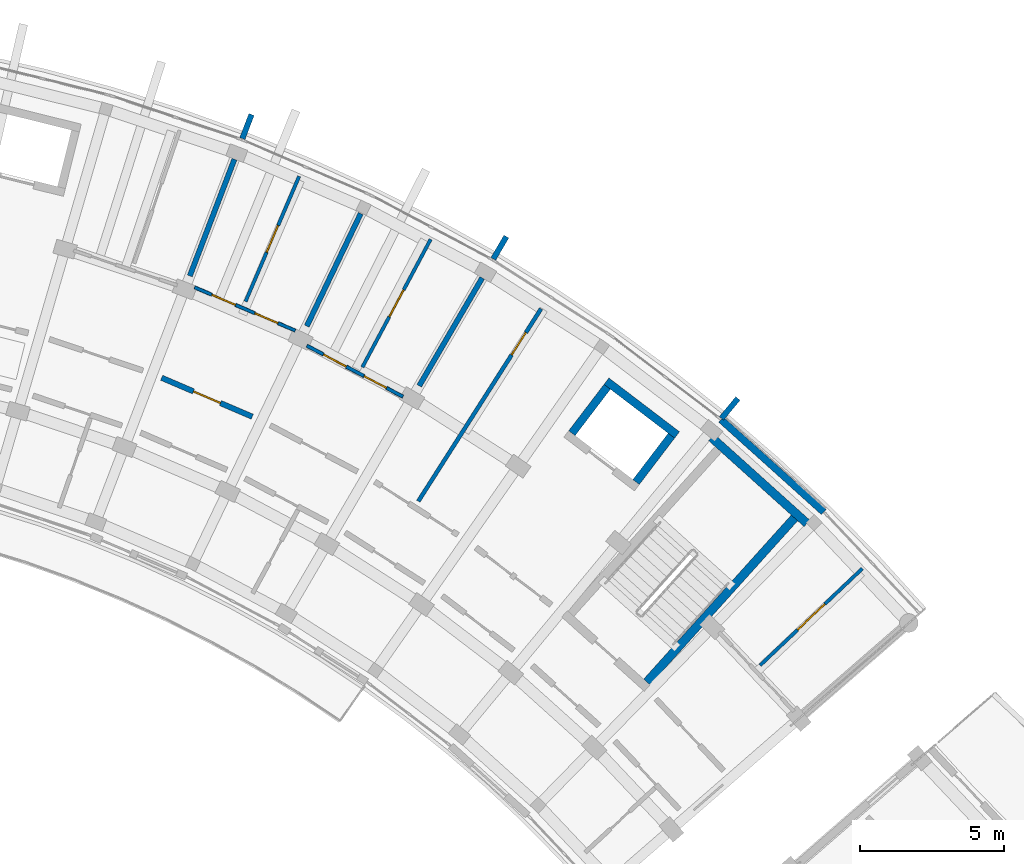
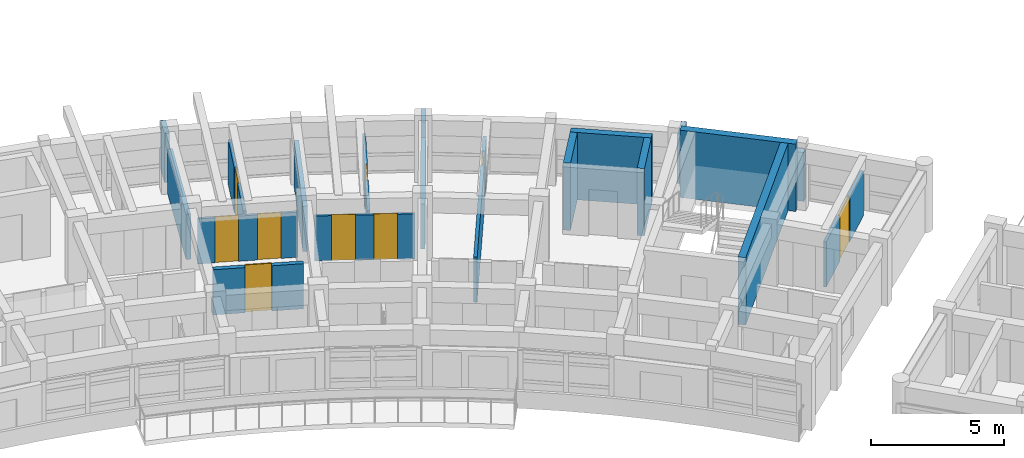
# One storey, part 36 of 54: 19 walls, 9 doors, 9 openings.
"""IFC4 building model written with IfcOpenShell, lengths in metres."""

from ifc_helpers import new_model, si_unit, direction, frame, frame_2d, origin, place, context, subcontext, project, spatial, rectangle, extrude, material, layer, layer_set, type_object, element, fill, save


model = new_model("IFC4")

# Units and contexts
model_context = context("Model", 3, precision=1e-05, world=origin(), true_north=direction((0.0, 1.0)))
body_context = subcontext(model_context, "Body", "Model", "MODEL_VIEW")
ifc_project = project(units=[si_unit("LENGTHUNIT", "METRE"), si_unit("AREAUNIT", "SQUARE_METRE"), si_unit("VOLUMEUNIT", "CUBIC_METRE"), si_unit("PLANEANGLEUNIT", "RADIAN"), si_unit("MASSUNIT", "GRAM", prefix="KILO")], contexts=[model_context])

# Site, building, storey
site_placement = place(None, origin())
site = spatial("IfcSite", under=ifc_project, at=site_placement, CompositionType="ELEMENT")
building_placement = place(site_placement, origin())
building = spatial("IfcBuilding", under=site, at=building_placement, Name="Zimvara Arc Housing Community", CompositionType="ELEMENT")
storey_placement = place(building_placement, frame((0.0, 0.0, 23.60009765625)))
storey = spatial("IfcBuildingStorey", under=building, at=storey_placement, Name="L07", CompositionType="ELEMENT", Elevation=23.60009765625)

# Walls
ifc_material_1 = material(Name="Board-Marked Fair-Faced Concrete C35/45", Category="concrete")
ifc_layer_1 = layer(ifc_material_1, 0.195068359375)
ifc_layer_set_1 = layer_set([ifc_layer_1], Name="Board-Marked Fair-Faced Concrete C35/45")
wall_type_1 = type_object("IfcWallType", Name="EWL-PARA-195", PredefinedType="PARAPET", material=ifc_layer_set_1)
wall_1_placement = place(storey_placement, frame((66.216796875, 100.0029296875, 0.0), z_axis=(0.0, 0.0, 1.0), x_axis=(0.356942580168, 0.934126326823, 0.0)))
element("IfcWall", 1, at=wall_1_placement, inside=storey, type_object=wall_type_1, Name="finwall:blkB:L07:out:b4", PredefinedType="PARAPET", context=body_context, shape_type="SweptSolid", body=[
    extrude(rectangle(XDim=0.900146484375, YDim=0.195068359375, at=frame_2d((0.4501953125, 0.0))), origin(), (0.0, 0.0, 1.0), 2.25),
])
wall_2_placement = place(storey_placement, frame((74.961181640625, 95.8134765625, 0.0), z_axis=(0.0, 0.0, 1.0), x_axis=(0.504326383773, 0.863513114336, 0.0)))
element("IfcWall", 2, at=wall_2_placement, inside=storey, type_object=wall_type_1, Name="finwall:blkB:L07:out:b6", PredefinedType="PARAPET", context=body_context, shape_type="SweptSolid", body=[
    extrude(rectangle(XDim=0.89990234375, YDim=0.195068359375, at=frame_2d((0.449951171875, 0.0))), origin(), (0.0, 0.0, 1.0), 2.25),
])
wall_3_placement = place(storey_placement, frame((82.90771484375, 90.25732421875, 0.0), z_axis=(0.0, 0.0, 1.0), x_axis=(0.637967316825, 0.770063440674, 0.0)))
element("IfcWall", 3, at=wall_3_placement, inside=storey, type_object=wall_type_1, Name="finwall:blkB:L07:out:b8", PredefinedType="PARAPET", context=body_context, shape_type="SweptSolid", body=[
    extrude(rectangle(XDim=0.900146484375, YDim=0.195068359375, at=frame_2d((0.4501953125, 0.0))), origin(), (0.0, 0.0, 1.0), 2.25),
])
ifc_material_2 = material(Name="Board-Marked Fair-Faced Concrete C35/45", Category="concrete")
ifc_layer_2 = layer(ifc_material_2, 0.248046875)
ifc_layer_set_2 = layer_set([ifc_layer_2], Name="Board-Marked Fair-Faced Concrete C35/45")
wall_type_2 = type_object("IfcWallType", Name="EWL-VAR-17", PredefinedType="SOLIDWALL", material=ifc_layer_set_2)
wall_4_placement = place(storey_placement, frame((82.89697265625, 90.21337890625, 0.0), z_axis=(0.0, 0.0, 1.0), x_axis=(0.743387539862, -0.668860946369, 0.0)))
element("IfcWall", 4, at=wall_4_placement, inside=storey, type_object=wall_type_2, Name="ewall:blkB:L07:out:b8", PredefinedType="SOLIDWALL", context=body_context, shape_type="SweptSolid", body=[
    extrude(rectangle(XDim=4.80908203125, YDim=0.248046875, at=frame_2d((2.404541015625, 0.0))), origin(), (0.0, 0.0, 1.0), 2.25),
])

# Wall, opening, door
ifc_material_3 = material(Name="Concrete C35/45", Category="concrete")
ifc_layer_3 = layer(ifc_material_3, 0.18994140625)
ifc_layer_set_3 = layer_set([ifc_layer_3], Name="Concrete C35/45")
wall_type_3 = type_object("IfcWallType", Name="IWL-CORR-190", PredefinedType="SOLIDWALL", material=ifc_layer_set_3)
wall_5_placement = place(storey_placement, frame((63.40673828125, 91.6728515625, 0.0), z_axis=(0.0, 0.0, 1.0), x_axis=(0.918718172399, -0.394913813008, 0.0)))
wall_5 = element("IfcWall", 5, at=wall_5_placement, inside=storey, type_object=wall_type_3, Name="iwall:blkB:L07:corr_out:b4", PredefinedType="SOLIDWALL", context=body_context, shape_type="SweptSolid", body=[
    extrude(rectangle(XDim=3.43603515625, YDim=0.18994140625, at=frame_2d((1.718017578125, 0.0))), origin(), (0.0, 0.0, 1.0), 2.079833984375),
])
opening_1_placement = place(wall_5_placement, frame((1.2080078125, 0.0, 0.0)))
opening_1 = element("IfcOpeningElement", 6, at=opening_1_placement, cuts=wall_5, Name="Opening FD-FL2", PredefinedType="OPENING", context=body_context, shape_type="SweptSolid", body=[
    extrude(rectangle(XDim=1.02001953125, YDim=2.14990234375, at=frame_2d((0.510009765625, 1.074951171875))), frame((0.0, 0.10498046875, 0.0), z_axis=(0.0, -1.0, 0.0), x_axis=(1.0, 0.0, 0.0)), (0.0, 0.0, 1.0), 0.2099609375),
])
ifc_material_4 = material(Name="Mozambican Hardwood", Category="wood")
door_type_1 = type_object("IfcDoorType", Name="IDR-FLAT-1020x2150", OperationType="NOTDEFINED", PredefinedType="DOOR", material=ifc_material_4)
door_1_placement = place(opening_1_placement, origin())
door_1 = element("IfcDoor", 7, at=door_1_placement, inside=storey, type_object=door_type_1, Name="idoor:blkB:L07:flat:b4", OperationType="SINGLE_SWING_RIGHT", OverallHeight=2.14990234375, OverallWidth=1.02001953125, PredefinedType="DOOR", context=body_context, shape_type="SweptSolid", body=[
    extrude(rectangle(XDim=1.02001953125, YDim=2.14990234375, at=frame_2d((0.510009765625, 1.074951171875))), frame((0.0, 0.02490234375, 0.0), z_axis=(0.0, -1.0, 0.0), x_axis=(1.0, 0.0, 0.0)), (0.0, 0.0, 1.0), 0.050048828125),
])
fill(opening_1, door_1)

# Walls
ifc_material_5 = material(Name="Concrete C35/45", Category="concrete")
ifc_layer_4 = layer(ifc_material_5, 0.18505859375)
ifc_layer_set_4 = layer_set([ifc_layer_4], Name="Concrete C35/45")
wall_type_4 = type_object("IfcWallType", Name="IWL-FLAT-185", PredefinedType="SOLIDWALL", material=ifc_layer_set_4)
for number, where, z_axis, x_axis, name in (
    (8, (64.388671875, 95.220458984375, 0.0), (0.0, 0.0, 1.0), (0.357064016205, 0.934079915388, 0.0), "iwall:blkB:L07:party:b4"),
    (9, (68.462158203125, 93.469482421875, 0.0), (0.0, 0.0, 1.0), (0.432086898897, 0.901831975371, 0.0), "iwall:blkB:L07:party:b5"),
    (10, (72.37939453125, 91.391845703125, 0.0), (0.0, 0.0, 1.0), (0.504216452091, 0.863577309475, 0.0), "iwall:blkB:L07:party:b6"),
):
    element("IfcWall", number, at=place(storey_placement, frame(where, z_axis=z_axis, x_axis=x_axis)), inside=storey, type_object=wall_type_4, Name=name, PredefinedType="SOLIDWALL", context=body_context, shape_type="SweptSolid", body=[
        extrude(rectangle(XDim=4.35009765625, YDim=0.18505859375, at=frame_2d((2.175048828125, 0.0))), origin(), (0.0, 0.0, 1.0), 2.079833984375),
    ])

# Wall, openings, doors
ifc_material_6 = material(Name="Painted Acoustic Plasterboard")
ifc_layer_5 = layer(ifc_material_6, 0.110107421875)
ifc_layer_set_5 = layer_set([ifc_layer_5], Name="Painted Acoustic Plasterboard")
wall_type_5 = type_object("IfcWallType", Name="IWL-PART-110", PredefinedType="PARTITIONING", material=ifc_layer_set_5)
wall_6_placement = place(storey_placement, frame((64.55712890625, 94.82177734375, 0.0), z_axis=(0.0, 0.0, 1.0), x_axis=(0.918726854017, -0.394893615684, 0.0)))
wall_6 = element("IfcWall", 11, at=wall_6_placement, inside=storey, type_object=wall_type_5, Name="iwall:blkB:L07:srv:b4", PredefinedType="PARTITIONING", context=body_context, shape_type="SweptSolid", body=[
    extrude(rectangle(XDim=3.8095703125, YDim=0.110107421875, at=frame_2d((1.90478515625, 0.0))), origin(), (0.0, 0.0, 1.0), 2.079833984375),
])
opening_2_placement = place(wall_6_placement, frame((0.64990234375, 0.0, 0.0)))
opening_2 = element("IfcOpeningElement", 12, at=opening_2_placement, cuts=wall_6, Name="Opening D01", PredefinedType="OPENING", context=body_context, shape_type="SweptSolid", body=[
    extrude(rectangle(XDim=0.89990234375, YDim=2.10009765625, at=frame_2d((0.449951171875, 1.050048828125))), frame((0.0, 0.06494140625, 0.0), z_axis=(0.0, -1.0, 0.0), x_axis=(1.0, 0.0, 0.0)), (0.0, 0.0, 1.0), 0.130126953125),
])
opening_3_placement = place(wall_6_placement, frame((2.279541015625, 0.0, 0.0)))
opening_3 = element("IfcOpeningElement", 13, at=opening_3_placement, cuts=wall_6, Name="Opening D05", PredefinedType="OPENING", context=body_context, shape_type="SweptSolid", body=[
    extrude(rectangle(XDim=0.8798828125, YDim=2.10009765625, at=frame_2d((0.43994140625, 1.050048828125))), frame((0.0, 0.06494140625, 0.0), z_axis=(0.0, -1.0, 0.0), x_axis=(1.0, 0.0, 0.0)), (0.0, 0.0, 1.0), 0.130126953125),
])
ifc_material_7 = material(Name="Mozambican Hardwood", Category="wood")
door_type_2 = type_object("IfcDoorType", Name="IDR-RM-0900x2100", OperationType="NOTDEFINED", PredefinedType="DOOR", material=ifc_material_7)
door_2_placement = place(opening_2_placement, origin())
door_2 = element("IfcDoor", 14, at=door_2_placement, inside=storey, type_object=door_type_2, Name="idoor:blkB:L07:kit_liv:b4", OperationType="SINGLE_SWING_RIGHT", OverallHeight=2.10009765625, OverallWidth=0.89990234375, PredefinedType="DOOR", context=body_context, shape_type="SweptSolid", body=[
    extrude(rectangle(XDim=0.89990234375, YDim=2.10009765625, at=frame_2d((0.449951171875, 1.050048828125))), frame((0.0, 0.02490234375, 0.0), z_axis=(0.0, -1.0, 0.0), x_axis=(1.0, 0.0, 0.0)), (0.0, 0.0, 1.0), 0.050048828125),
])
fill(opening_2, door_2)
ifc_material_8 = material(Name="Mozambican Hardwood", Category="wood")
door_type_3 = type_object("IfcDoorType", Name="IDR-WC-0880x2100", OperationType="NOTDEFINED", PredefinedType="DOOR", material=ifc_material_8)
door_3_placement = place(opening_3_placement, origin())
door_3 = element("IfcDoor", 15, at=door_3_placement, inside=storey, type_object=door_type_3, Name="idoor:blkB:L07:bath_d:b4", OperationType="SINGLE_SWING_LEFT", OverallHeight=2.10009765625, OverallWidth=0.8798828125, PredefinedType="DOOR", context=body_context, shape_type="SweptSolid", body=[
    extrude(rectangle(XDim=0.8798828125, YDim=2.10009765625, at=frame_2d((0.43994140625, 1.050048828125))), frame((0.0, 0.02490234375, 0.0), z_axis=(0.0, -1.0, 0.0), x_axis=(1.0, 0.0, 0.0)), (0.0, 0.0, 1.0), 0.050048828125),
])
fill(opening_3, door_3)

ifc_material_9 = material(Name="Painted Acoustic Plasterboard")
ifc_layer_6 = layer(ifc_material_9, 0.114990234375)
ifc_layer_set_6 = layer_set([ifc_layer_6], Name="Painted Acoustic Plasterboard")
wall_type_6 = type_object("IfcWallType", Name="IWL-PART-115", PredefinedType="PARTITIONING", material=ifc_layer_set_6)
wall_7_placement = place(storey_placement, frame((68.468017578125, 92.787841796875, 0.0), z_axis=(0.0, 0.0, 1.0), x_axis=(0.883450371448, -0.468524749814, 0.0)))
wall_7 = element("IfcWall", 16, at=wall_7_placement, inside=storey, type_object=wall_type_6, Name="iwall:blkB:L07:srv:b5", PredefinedType="PARTITIONING", context=body_context, shape_type="SweptSolid", body=[
    extrude(rectangle(XDim=3.78515625, YDim=0.114990234375, at=frame_2d((1.892578125, 0.0))), origin(), (0.0, 0.0, 1.0), 2.079833984375),
])
opening_4_placement = place(wall_7_placement, frame((0.64990234375, 0.0, 0.0)))
opening_4 = element("IfcOpeningElement", 17, at=opening_4_placement, cuts=wall_7, Name="Opening D01", PredefinedType="OPENING", context=body_context, shape_type="SweptSolid", body=[
    extrude(rectangle(XDim=0.89990234375, YDim=2.10009765625, at=frame_2d((0.449951171875, 1.050048828125))), frame((0.0, 0.0673828125, 0.0), z_axis=(0.0, -1.0, 0.0), x_axis=(1.0, 0.0, 0.0)), (0.0, 0.0, 1.0), 0.135009765625),
])
opening_5_placement = place(wall_7_placement, frame((2.255126953125, 0.0, 0.0)))
opening_5 = element("IfcOpeningElement", 18, at=opening_5_placement, cuts=wall_7, Name="Opening D05", PredefinedType="OPENING", context=body_context, shape_type="SweptSolid", body=[
    extrude(rectangle(XDim=0.8798828125, YDim=2.10009765625, at=frame_2d((0.43994140625, 1.050048828125))), frame((0.0, 0.0673828125, 0.0), z_axis=(0.0, -1.0, 0.0), x_axis=(1.0, 0.0, 0.0)), (0.0, 0.0, 1.0), 0.135009765625),
])
door_4_placement = place(opening_4_placement, origin())
door_4 = element("IfcDoor", 19, at=door_4_placement, inside=storey, type_object=door_type_2, Name="idoor:blkB:L07:kit_liv:b5", OperationType="SINGLE_SWING_RIGHT", OverallHeight=2.10009765625, OverallWidth=0.89990234375, PredefinedType="DOOR", context=body_context, shape_type="SweptSolid", body=[
    extrude(rectangle(XDim=0.89990234375, YDim=2.10009765625, at=frame_2d((0.449951171875, 1.050048828125))), frame((0.0, 0.02490234375, 0.0), z_axis=(0.0, -1.0, 0.0), x_axis=(1.0, 0.0, 0.0)), (0.0, 0.0, 1.0), 0.050048828125),
])
fill(opening_4, door_4)
door_5_placement = place(opening_5_placement, origin())
door_5 = element("IfcDoor", 20, at=door_5_placement, inside=storey, type_object=door_type_3, Name="idoor:blkB:L07:bath_d:b5", OperationType="SINGLE_SWING_LEFT", OverallHeight=2.10009765625, OverallWidth=0.8798828125, PredefinedType="DOOR", context=body_context, shape_type="SweptSolid", body=[
    extrude(rectangle(XDim=0.8798828125, YDim=2.10009765625, at=frame_2d((0.43994140625, 1.050048828125))), frame((0.0, 0.02490234375, 0.0), z_axis=(0.0, -1.0, 0.0), x_axis=(1.0, 0.0, 0.0)), (0.0, 0.0, 1.0), 0.050048828125),
])
fill(opening_5, door_5)

# Wall, opening, door
ifc_material_10 = material(Name="Painted Acoustic Plasterboard")
ifc_layer_7 = layer(ifc_material_10, 0.1201171875)
ifc_layer_set_7 = layer_set([ifc_layer_7], Name="Painted Acoustic Plasterboard")
wall_type_7 = type_object("IfcWallType", Name="IWL-PART-120", PredefinedType="PARTITIONING", material=ifc_layer_set_7)
wall_8_placement = place(storey_placement, frame((66.32861328125, 94.326904296875, 0.0), z_axis=(0.0, 0.0, 1.0), x_axis=(0.393553279267, 0.919301809189, 0.0)))
wall_8 = element("IfcWall", 21, at=wall_8_placement, inside=storey, type_object=wall_type_7, Name="iwall:blkB:L07:bed_div:b4", PredefinedType="PARTITIONING", context=body_context, shape_type="SweptSolid", body=[
    extrude(rectangle(XDim=4.75, YDim=0.1201171875, at=frame_2d((2.375, 0.0))), origin(), (0.0, 0.0, 1.0), 2.079833984375),
])
opening_6_placement = place(wall_8_placement, frame((1.8701171875, 0.0, 0.0)))
opening_6 = element("IfcOpeningElement", 22, at=opening_6_placement, cuts=wall_8, Name="Opening D15", PredefinedType="OPENING", context=body_context, shape_type="SweptSolid", body=[
    extrude(rectangle(XDim=1.010009765625, YDim=2.10009765625, at=frame_2d((0.5048828125, 1.050048828125))), frame((0.0, 0.070068359375, 0.0), z_axis=(0.0, -1.0, 0.0), x_axis=(1.0, 0.0, 0.0)), (0.0, 0.0, 1.0), 0.14013671875),
])
ifc_material_11 = material(Name="Mozambican Hardwood", Category="wood")
door_type_4 = type_object("IfcDoorType", Name="IDR-MOD-1010x2160", OperationType="NOTDEFINED", PredefinedType="DOOR", material=ifc_material_11)
door_6_placement = place(opening_6_placement, origin())
door_6 = element("IfcDoor", 23, at=door_6_placement, inside=storey, type_object=door_type_4, Name="idoor:blkB:L07:bed_d:b4", OperationType="SINGLE_SWING_RIGHT", OverallHeight=2.10009765625, OverallWidth=1.010009765625, PredefinedType="DOOR", context=body_context, shape_type="SweptSolid", body=[
    extrude(rectangle(XDim=1.010009765625, YDim=2.10009765625, at=frame_2d((0.5048828125, 1.050048828125))), frame((0.0, 0.02490234375, 0.0), z_axis=(0.0, -1.0, 0.0), x_axis=(1.0, 0.0, 0.0)), (0.0, 0.0, 1.0), 0.050048828125),
])
fill(opening_6, door_6)

wall_9_placement = place(storey_placement, frame((70.398193359375, 92.041015625, 0.0), z_axis=(0.0, 0.0, 1.0), x_axis=(0.471222960991, 0.882014127457, 0.0)))
wall_9 = element("IfcWall", 24, at=wall_9_placement, inside=storey, type_object=wall_type_7, Name="iwall:blkB:L07:bed_div:b5", PredefinedType="PARTITIONING", context=body_context, shape_type="SweptSolid", body=[
    extrude(rectangle(XDim=5.0498046875, YDim=0.1201171875, at=frame_2d((2.52490234375, 0.0))), origin(), (0.0, 0.0, 1.0), 2.079833984375),
])
opening_7_placement = place(wall_9_placement, frame((1.9951171875, 0.0, 0.0)))
opening_7 = element("IfcOpeningElement", 25, at=opening_7_placement, cuts=wall_9, Name="Opening D16", PredefinedType="OPENING", context=body_context, shape_type="SweptSolid", body=[
    extrude(rectangle(XDim=1.06005859375, YDim=2.10009765625, at=frame_2d((0.530029296875, 1.050048828125))), frame((0.0, 0.070068359375, 0.0), z_axis=(0.0, -1.0, 0.0), x_axis=(1.0, 0.0, 0.0)), (0.0, 0.0, 1.0), 0.14013671875),
])
ifc_material_12 = material(Name="Mozambican Hardwood", Category="wood")
door_type_5 = type_object("IfcDoorType", Name="IDR-MOD-1060x2220", OperationType="NOTDEFINED", PredefinedType="DOOR", material=ifc_material_12)
door_7_placement = place(opening_7_placement, origin())
door_7 = element("IfcDoor", 26, at=door_7_placement, inside=storey, type_object=door_type_5, Name="idoor:blkB:L07:bed_d:b5", OperationType="SINGLE_SWING_RIGHT", OverallHeight=2.10009765625, OverallWidth=1.06005859375, PredefinedType="DOOR", context=body_context, shape_type="SweptSolid", body=[
    extrude(rectangle(XDim=1.06005859375, YDim=2.10009765625, at=frame_2d((0.530029296875, 1.050048828125))), frame((0.0, 0.02490234375, 0.0), z_axis=(0.0, -1.0, 0.0), x_axis=(1.0, 0.0, 0.0)), (0.0, 0.0, 1.0), 0.050048828125),
])
fill(opening_7, door_7)

wall_10_placement = place(storey_placement, frame((84.254150390625, 81.6552734375, 0.0), z_axis=(0.0, 0.0, 1.0), x_axis=(0.726295620759, 0.687382478149, 0.0)))
wall_10 = element("IfcWall", 27, at=wall_10_placement, inside=storey, type_object=wall_type_7, Name="iwall:blkB:L07:bed_div:b9", PredefinedType="PARTITIONING", context=body_context, shape_type="SweptSolid", body=[
    extrude(rectangle(XDim=4.89990234375, YDim=0.1201171875, at=frame_2d((2.449951171875, 0.0))), origin(), (0.0, 0.0, 1.0), 2.079833984375),
])
opening_8_placement = place(wall_10_placement, frame((1.800048828125, 0.0, 0.0)))
opening_8 = element("IfcOpeningElement", 28, at=opening_8_placement, cuts=wall_10, Name="Opening D20", PredefinedType="OPENING", context=body_context, shape_type="SweptSolid", body=[
    extrude(rectangle(XDim=1.300048828125, YDim=2.10009765625, at=frame_2d((0.64990234375, 1.050048828125))), frame((0.0, 0.070068359375, 0.0), z_axis=(0.0, -1.0, 0.0), x_axis=(1.0, 0.0, 0.0)), (0.0, 0.0, 1.0), 0.14013671875),
])
ifc_material_13 = material(Name="Mozambican Hardwood", Category="wood")
door_type_6 = type_object("IfcDoorType", Name="IDR-MOD-1300x2240", OperationType="NOTDEFINED", PredefinedType="DOOR", material=ifc_material_13)
door_8_placement = place(opening_8_placement, origin())
door_8 = element("IfcDoor", 29, at=door_8_placement, inside=storey, type_object=door_type_6, Name="idoor:blkB:L07:bed_d:b9", OperationType="SINGLE_SWING_RIGHT", OverallHeight=2.10009765625, OverallWidth=1.300048828125, PredefinedType="DOOR", context=body_context, shape_type="SweptSolid", body=[
    extrude(rectangle(XDim=1.300048828125, YDim=2.10009765625, at=frame_2d((0.64990234375, 1.050048828125))), frame((0.0, 0.02490234375, 0.0), z_axis=(0.0, -1.0, 0.0), x_axis=(1.0, 0.0, 0.0)), (0.0, 0.0, 1.0), 0.050048828125),
])
fill(opening_8, door_8)

ifc_material_14 = material(Name="Painted Acoustic Plasterboard")
ifc_layer_8 = layer(ifc_material_14, 0.139892578125)
ifc_layer_set_8 = layer_set([ifc_layer_8], Name="Painted Acoustic Plasterboard")
wall_type_8 = type_object("IfcWallType", Name="IWL-PART-140", PredefinedType="PARTITIONING", material=ifc_layer_set_8)
wall_11_placement = place(storey_placement, frame((72.346923828125, 87.370361328125, 0.0), z_axis=(0.0, 0.0, 1.0), x_axis=(0.537777309481, 0.843086926365, 0.0)))
wall_11 = element("IfcWall", 30, at=wall_11_placement, inside=storey, type_object=wall_type_8, Name="iwall:blkB:L07:amen_div:b6", PredefinedType="PARTITIONING", context=body_context, shape_type="SweptSolid", body=[
    extrude(rectangle(XDim=7.9501953125, YDim=0.139892578125, at=frame_2d((3.97509765625, 0.0))), origin(), (0.0, 0.0, 1.0), 2.079833984375),
])
opening_9_placement = place(wall_11_placement, frame((6.050048828125, 0.0, 0.0)))
opening_9 = element("IfcOpeningElement", 31, at=opening_9_placement, cuts=wall_11, Name="Opening D02", PredefinedType="OPENING", context=body_context, shape_type="SweptSolid", body=[
    extrude(rectangle(XDim=0.919921875, YDim=2.10009765625, at=frame_2d((0.4599609375, 1.050048828125))), frame((0.0, 0.079833984375, 0.0), z_axis=(0.0, -1.0, 0.0), x_axis=(1.0, 0.0, 0.0)), (0.0, 0.0, 1.0), 0.159912109375),
])
ifc_material_15 = material(Name="Mozambican Hardwood", Category="wood")
door_type_7 = type_object("IfcDoorType", Name="IDR-RM-0920x2100", OperationType="NOTDEFINED", PredefinedType="DOOR", material=ifc_material_15)
door_9_placement = place(opening_9_placement, origin())
door_9 = element("IfcDoor", 32, at=door_9_placement, inside=storey, type_object=door_type_7, Name="idoor:blkB:L07:laund_d:b6", OperationType="SINGLE_SWING_RIGHT", OverallHeight=2.10009765625, OverallWidth=0.919921875, PredefinedType="DOOR", context=body_context, shape_type="SweptSolid", body=[
    extrude(rectangle(XDim=0.919921875, YDim=2.10009765625, at=frame_2d((0.4599609375, 1.050048828125))), frame((0.0, 0.02490234375, 0.0), z_axis=(0.0, -1.0, 0.0), x_axis=(1.0, 0.0, 0.0)), (0.0, 0.0, 1.0), 0.050048828125),
])
fill(opening_9, door_9)

# Walls
ifc_material_16 = material(Name="Concrete C40/50", Category="concrete")
ifc_layer_9 = layer(ifc_material_16, 0.280029296875)
ifc_layer_set_9 = layer_set([ifc_layer_9], Name="Concrete C40/50")
wall_type_9 = type_object("IfcWallType", Name="WL-CORE-280", PredefinedType="SHEAR", material=ifc_layer_set_9)
wall_12_placement = place(storey_placement, frame((81.361083984375, 89.681396484375, 0.0), z_axis=(0.0, 0.0, 1.0), x_axis=(-0.795502452183, 0.605950368076, 0.0)))
element("IfcWall", 33, at=wall_12_placement, inside=storey, type_object=wall_type_9, Name="lwall:LP-B2:L07:back", PredefinedType="SHEAR", context=body_context, shape_type="SweptSolid", body=[
    extrude(rectangle(XDim=3.08984375, YDim=0.280029296875, at=frame_2d((1.544921875, 0.0))), origin(), (0.0, 0.0, 1.0), 3.099853515625),
])
for number, where, z_axis, x_axis, name in (
    (34, (79.934814453125, 88.0400390625, 0.0), (0.0, 0.0, 1.0), (0.606025097418, 0.795445523779, 0.0), "lwall:LP-B2:L07:left"),
    (35, (77.699462890625, 89.742919921875, 0.0), (0.0, 0.0, 1.0), (0.606025097418, 0.795445523779, 0.0), "lwall:LP-B2:L07:right"),
):
    element("IfcWall", number, at=place(storey_placement, frame(where, z_axis=z_axis, x_axis=x_axis)), inside=storey, type_object=wall_type_9, Name=name, PredefinedType="SHEAR", context=body_context, shape_type="SweptSolid", body=[
        extrude(rectangle(XDim=2.030029296875, YDim=0.280029296875, at=frame_2d((1.01513671875, 0.0))), origin(), (0.0, 0.0, 1.0), 3.099853515625),
    ])
ifc_material_17 = material(Name="Concrete C40/50", Category="concrete")
ifc_layer_10 = layer(ifc_material_17, 0.300048828125)
ifc_layer_set_10 = layer_set([ifc_layer_10], Name="Concrete C40/50")
wall_type_10 = type_object("IfcWallType", Name="WL-CORE-300", PredefinedType="SHEAR", material=ifc_layer_set_10)
wall_13_placement = place(storey_placement, frame((85.887451171875, 86.6005859375, 0.0), z_axis=(0.0, 0.0, 1.0), x_axis=(-0.743400052815, 0.668847038922, 0.0)))
element("IfcWall", 36, at=wall_13_placement, inside=storey, type_object=wall_type_10, Name="cwall:ST-B2:L07:far", PredefinedType="SHEAR", context=body_context, shape_type="SweptSolid", body=[
    extrude(rectangle(XDim=4.469970703125, YDim=0.300048828125, at=frame_2d((2.23486328125, 0.0))), origin(), (0.0, 0.0, 1.0), 3.099853515625),
])
wall_14_placement = place(storey_placement, frame((80.308837890625, 81.073486328125, 0.0), z_axis=(0.0, 0.0, 1.0), x_axis=(0.668885797871, 0.743365179038, 0.0)))
element("IfcWall", 37, at=wall_14_placement, inside=storey, type_object=wall_type_10, Name="cwall:ST-B2:L07:left", PredefinedType="SHEAR", context=body_context, shape_type="SweptSolid", body=[
    extrude(rectangle(XDim=7.690185546875, YDim=0.300048828125, at=frame_2d((3.84521484375, 0.0))), origin(), (0.0, 0.0, 1.0), 3.099853515625),
])

save(model, "model.ifc")
